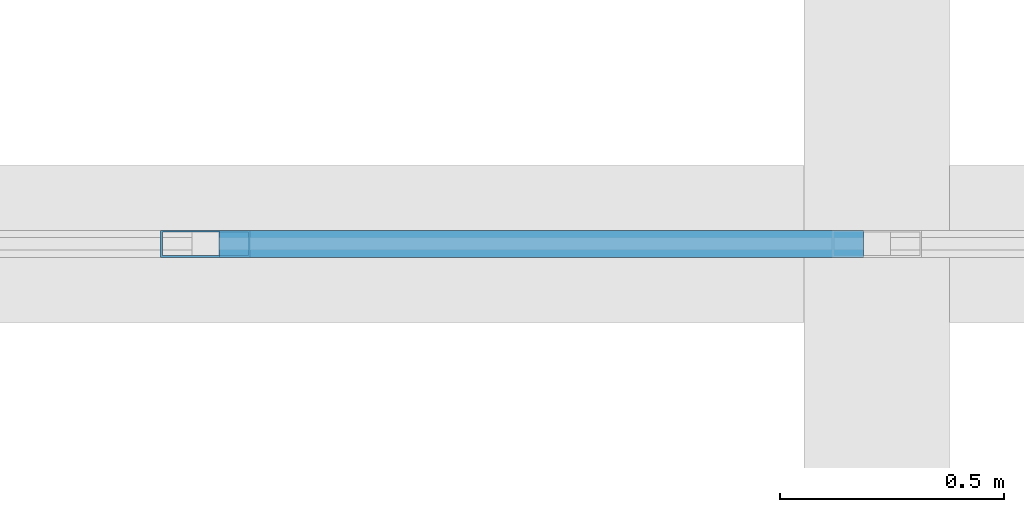
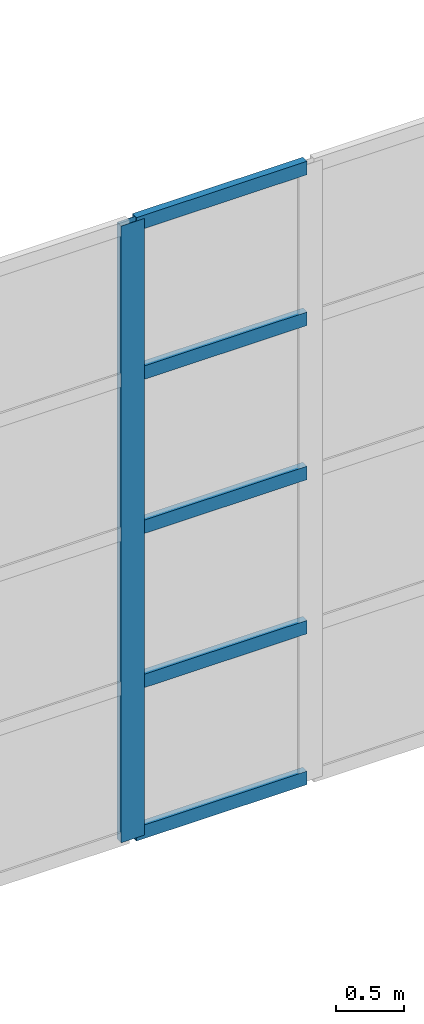
# One storey, part 168 of 437: 6 members, 1 element without a shape of its own.
"""IFC4 building model written with IfcOpenShell, lengths in metres."""

import ifcopenshell
import ifcopenshell.guid

model = None  # the IFC model being written
_history = None  # IfcOwnerHistory: only IFC2X3 demands one
_inside = {}  # id of a spatial element -> (the spatial element, [elements in it])
_under = {}  # id of a project, library or spatial element -> (it, [spatial elements below it])
_declared = {}  # id of a project -> (the project, [libraries it declares])
_typed = {}  # id of a type object -> (the type object, [elements of that type])
_made_of = {}  # id of a material, layer set ... -> (it, [elements and type objects made of it])


def new_model(schema):
    """Start an empty IFC model of exactly this schema.

    Asked for "IFC4X3", IfcOpenShell would pick the latest addendum, in which some entities
    have other attributes; the version numbers below select the first issue.
    IFC2X3 requires an IfcOwnerHistory on every rooted entity: one is made here for all.
    """
    global model, _history
    if schema == "IFC4X3":
        model = ifcopenshell.file(schema_version=(4, 3, 0, 0))
    else:
        model = ifcopenshell.file(schema=schema)
    _inside.clear()
    _under.clear()
    _declared.clear()
    _typed.clear()
    _made_of.clear()
    _history = None
    if model.schema == "IFC2X3":
        org = make("IfcOrganization", Name="unknown")
        user = make(
            "IfcPersonAndOrganization",
            ThePerson=make("IfcPerson", FamilyName="unknown"),
            TheOrganization=org,
        )
        app = make(
            "IfcApplication",
            ApplicationDeveloper=org,
            Version="unknown",
            ApplicationFullName="unknown",
            ApplicationIdentifier="unknown",
        )
        _history = make(
            "IfcOwnerHistory",
            OwningUser=user,
            OwningApplication=app,
            ChangeAction="ADDED",
            CreationDate=0,
        )
    return model


def make(cls, **values):
    """One entity of the class cls with the attributes given. An attribute that is None is left unset."""
    return model.create_entity(
        cls, **{name: value for name, value in values.items() if value is not None}
    )


def rooted(cls, **values):
    """An entity with a GlobalId (a new one), such as an element, a storey or a relation."""
    return make(cls, GlobalId=ifcopenshell.guid.new(), OwnerHistory=_history, **values)


def si_unit(unit_type, name, prefix=None):
    """IfcSIUnit, for example si_unit("LENGTHUNIT", "METRE", prefix="MILLI")."""
    return make("IfcSIUnit", UnitType=unit_type, Prefix=prefix, Name=name)


def assignment(units):
    """IfcUnitAssignment: the units of a project."""
    return None if units is None else make("IfcUnitAssignment", Units=units)


def point(xyz):
    """IfcCartesianPoint."""
    return None if xyz is None else make("IfcCartesianPoint", Coordinates=xyz)


def direction(xyz):
    """IfcDirection."""
    return None if xyz is None else make("IfcDirection", DirectionRatios=xyz)


def frame(location, z_axis=None, x_axis=None):
    """IfcAxis2Placement3D, a coordinate frame: its origin and axes. An axis left out is left unset."""
    return make(
        "IfcAxis2Placement3D",
        Location=point(location),
        Axis=direction(z_axis),
        RefDirection=direction(x_axis),
    )


def frame_2d(location, x_axis=None):
    """IfcAxis2Placement2D, a coordinate frame in the plane: its origin and x axis."""
    return make(
        "IfcAxis2Placement2D", Location=point(location), RefDirection=direction(x_axis)
    )


def origin():
    """The frame at (0, 0, 0) with its axes left unset."""
    return frame((0.0, 0.0, 0.0))


def origin_2d():
    """The frame at (0, 0) in the plane with its x axis left unset."""
    return frame_2d((0.0, 0.0))


def place(relative_to, where):
    """IfcLocalPlacement: puts the frame where relative to a parent placement (None: the world)."""
    return make(
        "IfcLocalPlacement", PlacementRelTo=relative_to, RelativePlacement=where
    )


def context(
    kind, dimensions, precision=None, world=None, true_north=None, identifier=None
):
    """IfcGeometricRepresentationContext, for example the 3D "Model" context."""
    return make(
        "IfcGeometricRepresentationContext",
        ContextIdentifier=identifier,
        ContextType=kind,
        CoordinateSpaceDimension=dimensions,
        Precision=precision,
        WorldCoordinateSystem=world,
        TrueNorth=true_north,
    )


def subcontext(parent, identifier, kind, view, scale=None):
    """IfcGeometricRepresentationSubContext, for example "Body" below "Model"."""
    return make(
        "IfcGeometricRepresentationSubContext",
        ContextIdentifier=identifier,
        ContextType=kind,
        ParentContext=parent,
        TargetScale=scale,
        TargetView=view,
    )


def project(units=None, contexts=None):
    """IfcProject with its units and contexts."""
    return rooted(
        "IfcProject",
        Name="project",
        RepresentationContexts=contexts,
        UnitsInContext=assignment(units),
    )


def spatial(cls, under=None, at=None, **own):
    """A site, building, storey or space (cls), placed at a placement, below another one or the project."""
    s = rooted(cls, ObjectPlacement=at, **own)
    if under is not None:
        _under.setdefault(under.id(), (under, []))[1].append(s)
    return s


def profile(cls, at=None, kind="AREA", **sizes):
    """A parametric profile (cls). Its sizes go by their IFC names, for example OverallWidth=200.0."""
    return make(cls, ProfileType=kind, Position=at, **sizes)


def hollow_rectangle(**sizes):
    """IfcRectangleHollowProfileDef."""
    return profile("IfcRectangleHollowProfileDef", **sizes)


def extrude(swept, where, along, depth):
    """IfcExtrudedAreaSolid: the profile swept, set in the frame where, extruded along a direction by depth."""
    return make(
        "IfcExtrudedAreaSolid",
        SweptArea=swept,
        Position=where,
        ExtrudedDirection=direction(along),
        Depth=depth,
    )


def shape(context_of_items, identifier, shape_type, items):
    """IfcShapeRepresentation: the items that make up one representation, for example the "Body"."""
    return make(
        "IfcShapeRepresentation",
        ContextOfItems=context_of_items,
        RepresentationIdentifier=identifier,
        RepresentationType=shape_type,
        Items=items,
    )


def material(Name=None, Category=None):
    """IfcMaterial."""
    return make("IfcMaterial", Name=Name, Category=Category)


def layer(
    of_material, thickness, ventilated=None, Name=None, Category=None, Priority=None
):
    """IfcMaterialLayer: one layer of a wall or slab, of a material (None: an air gap)."""
    return make(
        "IfcMaterialLayer",
        Material=of_material,
        LayerThickness=thickness,
        IsVentilated=ventilated,
        Name=Name,
        Category=Category,
        Priority=Priority,
    )


def layer_set(layers, Name=None):
    """IfcMaterialLayerSet."""
    return make("IfcMaterialLayerSet", MaterialLayers=layers, LayerSetName=Name)


def material_profile(
    of_material, cross_section, Name=None, Category=None, Priority=None
):
    """IfcMaterialProfile: a cross section and its material."""
    return make(
        "IfcMaterialProfile",
        Name=Name,
        Material=of_material,
        Profile=cross_section,
        Priority=Priority,
        Category=Category,
    )


def profile_set(profiles, Name=None, composite=None):
    """IfcMaterialProfileSet."""
    return make(
        "IfcMaterialProfileSet",
        Name=Name,
        MaterialProfiles=profiles,
        CompositeProfile=composite,
    )


def made_of(thing, what):
    """Note that an element or type object is made of a material, layer set ...; save() writes the relation."""
    if what is not None:
        _made_of.setdefault(what.id(), (what, []))[1].append(thing)
    return thing


def type_object(cls, material=None, **own):
    """A type object (cls), such as IfcWallType, which elements share."""
    return made_of(rooted(cls, **own), material)


def element(
    cls,
    number,
    at=None,
    inside=None,
    cuts=None,
    type_object=None,
    material=None,
    context=None,
    identifier="Body",
    shape_type=None,
    held_by="IfcProductDefinitionShape",
    body=None,
    shapes=None,
    **own,
):
    """One element of the class cls, such as IfcWall. Its Tag is "e" and its number.

    at: its placement. inside: the storey or other place that contains it. cuts: it is an
    opening in that element (IfcRelVoidsElement). A single representation is given by context,
    identifier, shape_type and body (its items); several are given by shapes. held_by: the class
    of the entity that holds the representations. save() writes the other relations.
    """
    e = rooted(cls, Tag="e%d" % number, ObjectPlacement=at, **own)
    if body is not None:
        shapes = [shape(context, identifier, shape_type, body)]
    if shapes is not None:
        e.Representation = make(held_by, Representations=shapes)
    if inside is not None:
        _inside.setdefault(inside.id(), (inside, []))[1].append(e)
    if cuts is not None:
        rooted(
            "IfcRelVoidsElement", RelatingBuildingElement=cuts, RelatedOpeningElement=e
        )
    if type_object is not None:
        _typed.setdefault(type_object.id(), (type_object, []))[1].append(e)
    return made_of(e, material)


def aggregate(whole, parts):
    """IfcRelAggregates: a whole, such as a stair, and the parts it consists of."""
    return rooted("IfcRelAggregates", RelatingObject=whole, RelatedObjects=parts)


def save(model, path):
    """Write the relations noted so far, then the file.

    IfcRelAggregates (storeys below a building ...), IfcRelContainedInSpatialStructure (elements
    in a storey), IfcRelDefinesByType, IfcRelAssociatesMaterial and IfcRelDeclares: one each for
    every whole, place, type object, material and project.
    """
    for whole, parts in _under.values():
        aggregate(whole, parts)
    for where, things in _inside.values():
        rooted(
            "IfcRelContainedInSpatialStructure",
            RelatedElements=things,
            RelatingStructure=where,
        )
    for kind, things in _typed.values():
        rooted("IfcRelDefinesByType", RelatedObjects=things, RelatingType=kind)
    for what, things in _made_of.values():
        rooted("IfcRelAssociatesMaterial", RelatedObjects=things, RelatingMaterial=what)
    for by, libraries in _declared.values():
        rooted("IfcRelDeclares", RelatingContext=by, RelatedDefinitions=libraries)
    model.write(path)


model = new_model("IFC4")

# Units and contexts
model_context = context("Model", 3, precision=1e-05, world=origin(), true_north=direction((0.0, 1.0)))
body_context = subcontext(model_context, "Body", "Model", "MODEL_VIEW")
ifc_project = project(units=[si_unit("LENGTHUNIT", "METRE"), si_unit("AREAUNIT", "SQUARE_METRE"), si_unit("VOLUMEUNIT", "CUBIC_METRE"), si_unit("PLANEANGLEUNIT", "RADIAN"), si_unit("MASSUNIT", "GRAM", prefix="KILO")], contexts=[model_context])

# Site, building, storey
site_placement = place(None, origin())
site = spatial("IfcSite", under=ifc_project, at=site_placement, CompositionType="ELEMENT")
building_placement = place(site_placement, origin())
building = spatial("IfcBuilding", under=site, at=building_placement, Name="Opaline Strait Convention Centre", CompositionType="ELEMENT")
storey_placement = place(building_placement, frame((0.0, 0.0, 11.5)))
storey = spatial("IfcBuildingStorey", under=building, at=storey_placement, Name="L02", CompositionType="ELEMENT", Elevation=11.5)

# Curtain wall, members
ifc_material_1 = material(Name="Aluminium framed glazing", Category="aluminium")
ifc_layer = layer(ifc_material_1, 0.199951171875)
ifc_layer_set = layer_set([ifc_layer], Name="Aluminium framed glazing")
curtain_wall_type = type_object("IfcCurtainWallType", Name="Entrance curtain wall 1500", PredefinedType="NOTDEFINED", material=ifc_layer_set)
curtain_wall_placement = place(storey_placement, origin())
curtain_wall = element("IfcCurtainWall", 1, at=curtain_wall_placement, inside=storey, type_object=curtain_wall_type, Name="Entrance curtain wall L02-R2", PredefinedType="NOTDEFINED")
ifc_material_2 = material(Name="Aluminium alloy 6063", Category="aluminium")
ifc_material_profile_1 = material_profile(ifc_material_2, hollow_rectangle(XDim=0.06005859375, YDim=0.199951171875, WallThickness=0.00390625, at=origin_2d()), Name="MULLION 60x200x4")
ifc_profile_set_1 = profile_set([ifc_material_profile_1], Name="Aluminium alloy 6063")
member_type_1 = type_object("IfcMemberType", Name="Curtain wall mullion 60 x 200", PredefinedType="MULLION", material=ifc_profile_set_1)
member_1_placement = place(storey_placement, frame((174.0, 144.0, 0.0), z_axis=(0.0, 0.0, 1.0), x_axis=(0.0, 1.0, 0.0)))
member_1 = element("IfcMember", 2, at=member_1_placement, type_object=member_type_1, Name="XCW mullion 3", PredefinedType="MULLION", context=body_context, shape_type="SweptSolid", body=[
    extrude(hollow_rectangle(XDim=0.06005859375, YDim=0.199951171875, WallThickness=0.00390625, at=origin_2d()), origin(), (0.0, 0.0, 1.0), 5.5),
])
ifc_material_profile_2 = material_profile(ifc_material_2, hollow_rectangle(XDim=0.06005859375, YDim=0.1201171875, WallThickness=0.0029296875, at=origin_2d()), Name="TRANSOM 60x120x3")
ifc_profile_set_2 = profile_set([ifc_material_profile_2], Name="Aluminium alloy 6063")
member_type_2 = type_object("IfcMemberType", Name="Curtain wall transom 60 x 120", PredefinedType="USERDEFINED", material=ifc_profile_set_2)
member_2_placement = place(storey_placement, frame((174.030029296875, 144.0, 0.030029296875), z_axis=(1.0, 0.0, 0.0), x_axis=(0.0, 1.0, 0.0)))
member_2 = element("IfcMember", 3, at=member_2_placement, type_object=member_type_2, Name="XCW transom 3.1", ObjectType="TRANSOM", PredefinedType="USERDEFINED", context=body_context, shape_type="SweptSolid", body=[
    extrude(hollow_rectangle(XDim=0.06005859375, YDim=0.1201171875, WallThickness=0.0029296875, at=origin_2d()), origin(), (0.0, 0.0, 1.0), 1.43994140625),
])
member_3_placement = place(storey_placement, frame((174.030029296875, 144.0, 1.375), z_axis=(1.0, 0.0, 0.0), x_axis=(0.0, 1.0, 0.0)))
member_3 = element("IfcMember", 4, at=member_3_placement, type_object=member_type_2, Name="XCW transom 3.2", ObjectType="TRANSOM", PredefinedType="USERDEFINED", context=body_context, shape_type="SweptSolid", body=[
    extrude(hollow_rectangle(XDim=0.06005859375, YDim=0.1201171875, WallThickness=0.0029296875, at=origin_2d()), origin(), (0.0, 0.0, 1.0), 1.43994140625),
])
member_4_placement = place(storey_placement, frame((174.030029296875, 144.0, 2.75), z_axis=(1.0, 0.0, 0.0), x_axis=(0.0, 1.0, 0.0)))
member_4 = element("IfcMember", 5, at=member_4_placement, type_object=member_type_2, Name="XCW transom 3.3", ObjectType="TRANSOM", PredefinedType="USERDEFINED", context=body_context, shape_type="SweptSolid", body=[
    extrude(hollow_rectangle(XDim=0.06005859375, YDim=0.1201171875, WallThickness=0.0029296875, at=origin_2d()), origin(), (0.0, 0.0, 1.0), 1.43994140625),
])
member_5_placement = place(storey_placement, frame((174.030029296875, 144.0, 4.125), z_axis=(1.0, 0.0, 0.0), x_axis=(0.0, 1.0, 0.0)))
member_5 = element("IfcMember", 6, at=member_5_placement, type_object=member_type_2, Name="XCW transom 3.4", ObjectType="TRANSOM", PredefinedType="USERDEFINED", context=body_context, shape_type="SweptSolid", body=[
    extrude(hollow_rectangle(XDim=0.06005859375, YDim=0.1201171875, WallThickness=0.0029296875, at=origin_2d()), origin(), (0.0, 0.0, 1.0), 1.43994140625),
])
member_6_placement = place(storey_placement, frame((174.030029296875, 144.0, 5.469970703125), z_axis=(1.0, 0.0, 0.0), x_axis=(0.0, 1.0, 0.0)))
member_6 = element("IfcMember", 7, at=member_6_placement, type_object=member_type_2, Name="XCW transom 3.5", ObjectType="TRANSOM", PredefinedType="USERDEFINED", context=body_context, shape_type="SweptSolid", body=[
    extrude(hollow_rectangle(XDim=0.06005859375, YDim=0.1201171875, WallThickness=0.0029296875, at=origin_2d()), origin(), (0.0, 0.0, 1.0), 1.43994140625),
])
aggregate(curtain_wall, [member_1, member_2, member_3, member_4, member_5, member_6])

save(model, "model.ifc")
